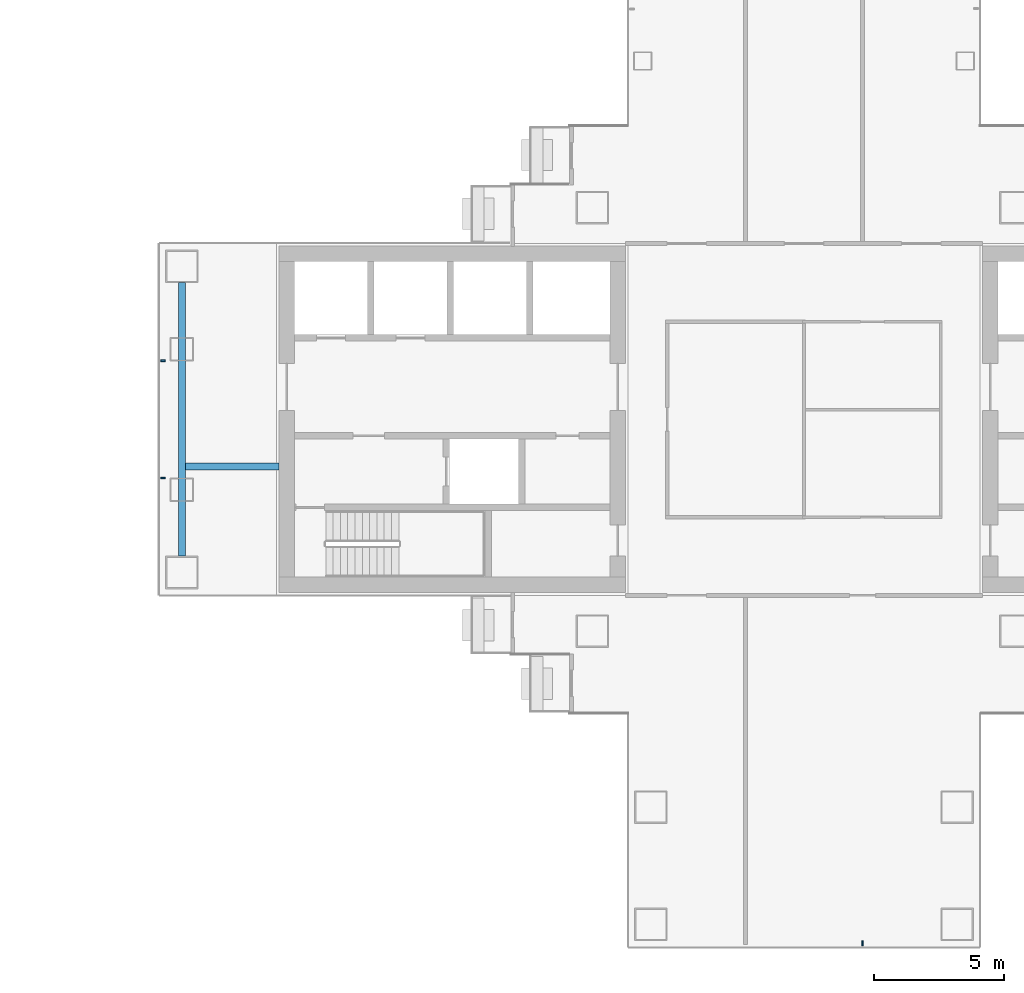
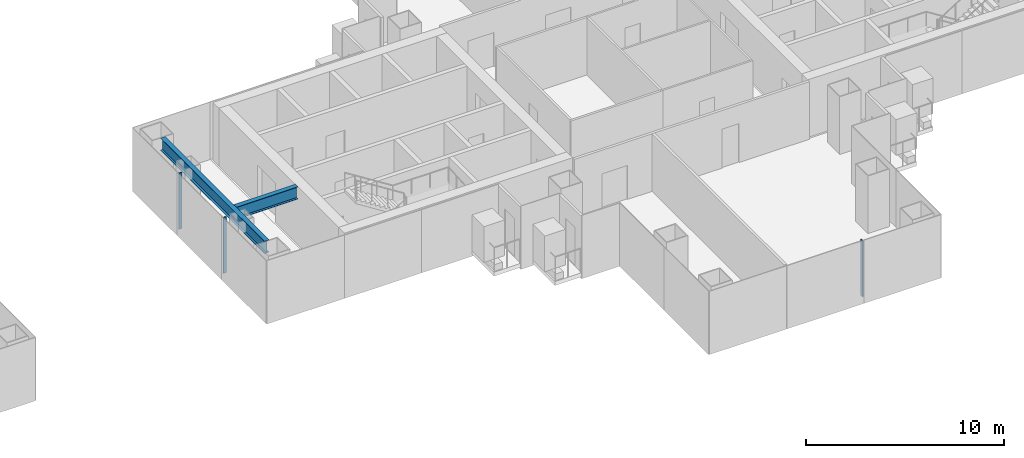
# One storey, part 6 of 20: 3 members, 2 beams, 2 elements without a shape of their own.
"""IFC4 building model written with IfcOpenShell, lengths in metres."""

from ifc_helpers import new_model, si_unit, direction, frame, origin, origin_2d, place, context, subcontext, project, spatial, rectangle, i_section, extrude, material, layer, layer_set, material_profile, profile_set, type_object, element, aggregate, save


model = new_model("IFC4")

# Units and contexts
model_context = context("Model", 3, precision=1e-05, world=origin(), true_north=direction((0.0, 1.0)))
body_context = subcontext(model_context, "Body", "Model", "MODEL_VIEW")
ifc_project = project(units=[si_unit("LENGTHUNIT", "METRE"), si_unit("AREAUNIT", "SQUARE_METRE"), si_unit("VOLUMEUNIT", "CUBIC_METRE"), si_unit("PLANEANGLEUNIT", "RADIAN"), si_unit("MASSUNIT", "GRAM", prefix="KILO")], contexts=[model_context])

# Site, building, storey
site_placement = place(None, origin())
site = spatial("IfcSite", under=ifc_project, at=site_placement, CompositionType="ELEMENT")
building_placement = place(site_placement, origin())
building = spatial("IfcBuilding", under=site, at=building_placement, Name="Shamsa Quay Exchange Towers", CompositionType="ELEMENT")
storey_placement = place(building_placement, frame((0.0, 0.0, 120.89990234375)))
storey = spatial("IfcBuildingStorey", under=building, at=storey_placement, Name="L28", CompositionType="ELEMENT", Elevation=120.89990234375)

# Curtain wall, members
ifc_material_1 = material(Name="Aluminium EN AW-6063 T6, black anodised", Category="aluminium")
ifc_layer = layer(ifc_material_1, 0.280029296875)
ifc_layer_set = layer_set([ifc_layer], Name="CW-1 UNITISED VISION GLASS")
curtain_wall_type = type_object("IfcCurtainWallType", Name="CW-1 UNITISED VISION GLASS", PredefinedType="NOTDEFINED", material=ifc_layer_set)
curtain_wall_1_placement = place(storey_placement, origin())
curtain_wall_1 = element("IfcCurtainWall", 1, at=curtain_wall_1_placement, inside=storey, type_object=curtain_wall_type, Name="CW1 T2-END-V+ L28", PredefinedType="NOTDEFINED")
ifc_material_profile_1 = material_profile(ifc_material_1, rectangle(XDim=0.179931640625, YDim=0.06005859375, at=origin_2d()), Name="MU60x180")
ifc_profile_set_1 = profile_set([ifc_material_profile_1], Name="Aluminium EN AW-6063 T6, black anodised")
member_type = type_object("IfcMemberType", Name="CW1 MULLION 60x180", PredefinedType="MULLION", material=ifc_profile_set_1)
member_1_placement = place(storey_placement, frame((9.14990234375, 2.25, 0.0)))
member_1 = element("IfcMember", 2, at=member_1_placement, type_object=member_type, Name="CW1 mullion", PredefinedType="MULLION", context=body_context, shape_type="SweptSolid", body=[
    extrude(rectangle(XDim=0.179931640625, YDim=0.06005859375, at=origin_2d()), origin(), (0.0, 0.0, 1.0), 3.4501953125),
])
member_2_placement = place(storey_placement, frame((9.14990234375, -2.25, 0.0)))
member_2 = element("IfcMember", 3, at=member_2_placement, type_object=member_type, Name="CW1 mullion", PredefinedType="MULLION", context=body_context, shape_type="SweptSolid", body=[
    extrude(rectangle(XDim=0.179931640625, YDim=0.06005859375, at=origin_2d()), origin(), (0.0, 0.0, 1.0), 3.4501953125),
])
aggregate(curtain_wall_1, [member_1, member_2])

# Curtain wall, member
curtain_wall_2_placement = place(storey_placement, origin())
curtain_wall_2 = element("IfcCurtainWall", 4, at=curtain_wall_2_placement, inside=storey, type_object=curtain_wall_type, Name="CW1 T2-END-U- L28", PredefinedType="NOTDEFINED")
member_3_placement = place(storey_placement, frame((36.0, -20.10009765625, 0.0), z_axis=(0.0, 0.0, 1.0), x_axis=(0.0, 1.0, 0.0)))
member_3 = element("IfcMember", 5, at=member_3_placement, type_object=member_type, Name="CW1 mullion", PredefinedType="MULLION", context=body_context, shape_type="SweptSolid", body=[
    extrude(rectangle(XDim=0.179931640625, YDim=0.06005859375, at=origin_2d()), origin(), (0.0, 0.0, 1.0), 3.4501953125),
])
aggregate(curtain_wall_2, [member_3])

# Beams
ifc_material_2 = material(Name="Steel S355", Category="steel")
ifc_material_profile_2 = material_profile(ifc_material_2, i_section(OverallWidth=0.26611328125, OverallDepth=0.7578125, WebThickness=0.013916015625, FlangeThickness=0.019287109375, at=origin_2d()), Name="W30x108")
ifc_profile_set_2 = profile_set([ifc_material_profile_2], Name="Steel S355")
beam_type = type_object("IfcBeamType", Name="End-zone beam W30x108", PredefinedType="BEAM", material=ifc_profile_set_2)
beam_1_placement = place(storey_placement, frame((9.875, -5.25, 3.171142578125), z_axis=(0.0, 1.0, 0.0), x_axis=(-1.0, 0.0, 0.0)))
element("IfcBeam", 6, at=beam_1_placement, inside=storey, type_object=beam_type, Name="End beam T2 V+ end zone L28", PredefinedType="BEAM", context=body_context, shape_type="SweptSolid", body=[
    extrude(i_section(OverallWidth=0.26611328125, OverallDepth=0.7578125, WebThickness=0.013916015625, FlangeThickness=0.019287109375, at=origin_2d()), origin(), (0.0, 0.0, 1.0), 10.5),
])
beam_2_placement = place(storey_placement, frame((13.60009765625, -1.800048828125, 3.171142578125), z_axis=(-1.0, 0.0, 0.0), x_axis=(0.0, -1.0, 0.0)))
element("IfcBeam", 7, at=beam_2_placement, inside=storey, type_object=beam_type, Name="Spine beam T2 V+ end zone L28", PredefinedType="BEAM", context=body_context, shape_type="SweptSolid", body=[
    extrude(i_section(OverallWidth=0.26611328125, OverallDepth=0.7578125, WebThickness=0.013916015625, FlangeThickness=0.019287109375, at=origin_2d()), origin(), (0.0, 0.0, 1.0), 3.592041015625),
])

save(model, "model.ifc")
